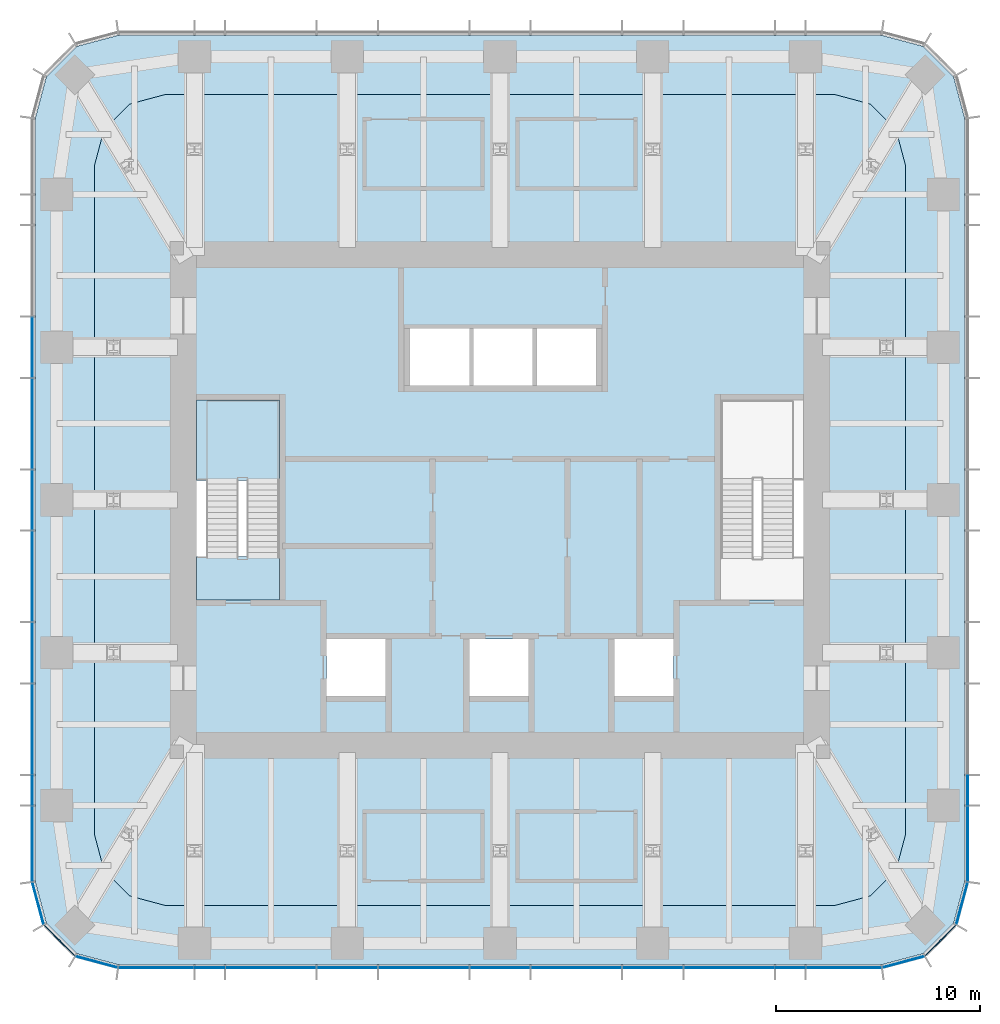
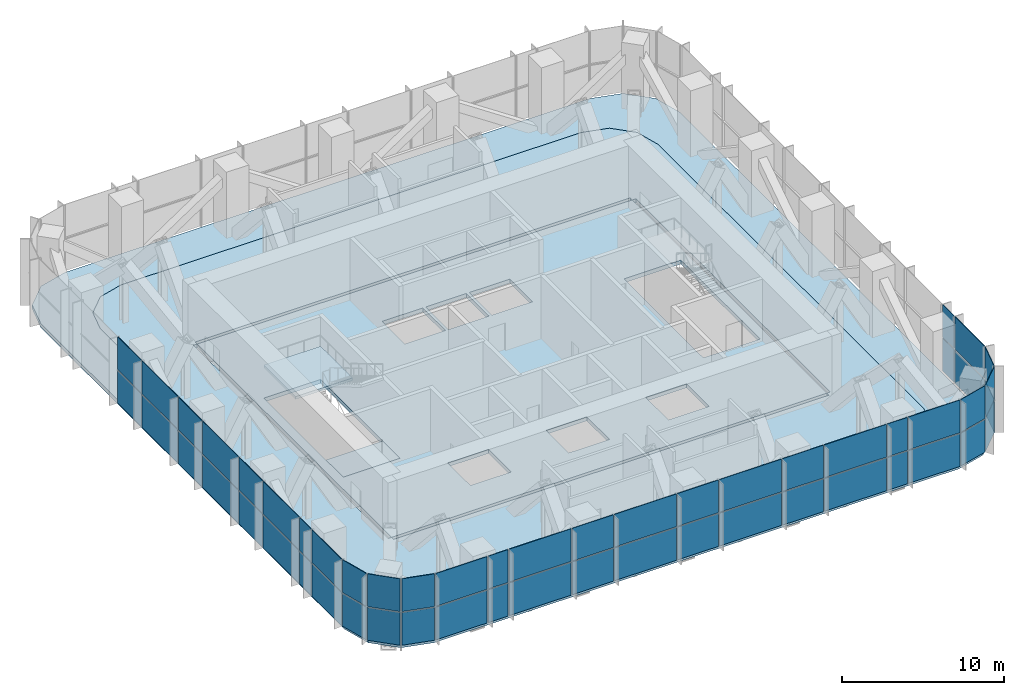
# One storey, part 5 of 9: 54 plates, 5 slabs, 6 elements without a shape of their own.
"""IFC4 building model written with IfcOpenShell, lengths in metres."""

from ifc_helpers import new_model, si_unit, direction, frame, origin, origin_2d, place, context, subcontext, project, spatial, polyline, rectangle, outline, extrude, material, layer, layer_set, type_object, element, aggregate, save


model = new_model("IFC4")

# Units and contexts
model_context = context("Model", 3, precision=1e-05, world=origin(), true_north=direction((0.0, 1.0)))
body_context = subcontext(model_context, "Body", "Model", "MODEL_VIEW")
ifc_project = project(units=[si_unit("LENGTHUNIT", "METRE"), si_unit("AREAUNIT", "SQUARE_METRE"), si_unit("VOLUMEUNIT", "CUBIC_METRE"), si_unit("PLANEANGLEUNIT", "RADIAN"), si_unit("MASSUNIT", "GRAM", prefix="KILO")], contexts=[model_context])

# Site, building, storey
site_placement = place(None, origin())
site = spatial("IfcSite", under=ifc_project, at=site_placement, CompositionType="ELEMENT")
building_placement = place(site_placement, origin())
building = spatial("IfcBuilding", under=site, at=building_placement, Name="Khuree Lantern Residences", CompositionType="ELEMENT")
storey_placement = place(building_placement, frame((0.0, 0.0, 353.25)))
storey = spatial("IfcBuildingStorey", under=building, at=storey_placement, Name="L89", CompositionType="ELEMENT", Elevation=353.25)

# Slabs
ifc_material_1 = material(Name="Concrete C35/45", Category="concrete")
ifc_layer_1 = layer(ifc_material_1, 0.300048828125)
ifc_layer_set_1 = layer_set([ifc_layer_1], Name="CFL300 CORE FLOOR SLAB 300")
slab_type_1 = type_object("IfcSlabType", Name="CFL300 CORE FLOOR SLAB 300", PredefinedType="FLOOR", material=ifc_layer_set_1)
slab_1_placement = place(storey_placement, frame((0.0, 0.0, -0.300048828125)))
element("IfcSlab", 1, at=slab_1_placement, inside=storey, type_object=slab_type_1, Name="Core floor L89", PredefinedType="FLOOR", context=body_context, shape_type="SweptSolid", body=[
    extrude(outline(polyline([(-15.5, -12.0), (-15.5, 12.0), (15.5, 12.0), (15.5, -12.0), (-15.5, -12.0)]), holes=[polyline([(10.800048828125, 4.89990234375), (10.800048828125, -4.89990234375), (14.85009765625, -4.89990234375), (14.85009765625, 4.89990234375), (10.800048828125, 4.89990234375)]), polyline([(5.60009765625, -6.800048828125), (5.60009765625, -9.60009765625), (8.5, -9.60009765625), (8.5, -6.800048828125), (5.60009765625, -6.800048828125)]), polyline([(1.800048828125, 8.39990234375), (1.800048828125, 5.60009765625), (4.699951171875, 5.60009765625), (4.699951171875, 8.39990234375), (1.800048828125, 8.39990234375)]), polyline([(-1.300048828125, 8.39990234375), (-1.300048828125, 5.60009765625), (1.60009765625, 5.60009765625), (1.60009765625, 8.39990234375), (-1.300048828125, 8.39990234375)]), polyline([(-1.5, -6.800048828125), (-1.5, -9.60009765625), (1.39990234375, -9.60009765625), (1.39990234375, -6.800048828125), (-1.5, -6.800048828125)]), polyline([(-4.39990234375, 8.39990234375), (-4.39990234375, 5.60009765625), (-1.5, 5.60009765625), (-1.5, 8.39990234375), (-4.39990234375, 8.39990234375)]), polyline([(-8.5, -6.800048828125), (-8.5, -9.60009765625), (-5.60009765625, -9.60009765625), (-5.60009765625, -6.800048828125), (-8.5, -6.800048828125)]), polyline([(-14.85009765625, 4.89990234375), (-14.85009765625, -4.89990234375), (-10.800048828125, -4.89990234375), (-10.800048828125, 4.89990234375), (-14.85009765625, 4.89990234375)])]), origin(), (0.0, 0.0, 1.0), 0.300048828125),
])
ifc_layer_2 = layer(ifc_material_1, 0.300048828125)
ifc_layer_set_2 = layer_set([ifc_layer_2], Name="FS300 FLOOR SLAB 300")
slab_type_2 = type_object("IfcSlabType", Name="FS300 FLOOR SLAB 300", PredefinedType="FLOOR", material=ifc_layer_set_2)
slab_2_placement = place(storey_placement, frame((0.0, 0.0, -0.300048828125)))
element("IfcSlab", 2, at=slab_2_placement, inside=storey, type_object=slab_type_2, Name="Floor slab L89", PredefinedType="FLOOR", context=body_context, shape_type="SweptSolid", body=[
    extrude(outline(polyline([(-18.125, -19.3876953125), (-19.3876953125, -18.125), (-19.85009765625, -16.39990234375), (-19.85009765625, 16.39990234375), (-19.3876953125, 18.125), (-18.125, 19.3876953125), (-16.39990234375, 19.85009765625), (16.39990234375, 19.85009765625), (18.125, 19.3876953125), (19.3876953125, 18.125), (19.85009765625, 16.39990234375), (19.85009765625, -16.39990234375), (19.3876953125, -18.125), (18.125, -19.3876953125), (16.39990234375, -19.85009765625), (-16.39990234375, -19.85009765625), (-18.125, -19.3876953125)]), holes=[polyline([(15.75, 12.0), (15.5, 12.0), (15.5, 12.25), (-15.5, 12.25), (-15.5, 12.0), (-15.75, 12.0), (-15.75, -12.0), (-15.5, -12.0), (-15.5, -12.25), (15.5, -12.25), (15.5, -12.0), (15.75, -12.0), (15.75, 12.0)])]), origin(), (0.0, 0.0, 1.0), 0.300048828125),
])
ifc_layer_3 = layer(ifc_material_1, 0.300048828125)
ifc_layer_set_3 = layer_set([ifc_layer_3], Name="GS300 LANTERN GALLERY SLAB 300")
slab_type_3 = type_object("IfcSlabType", Name="GS300 LANTERN GALLERY SLAB 300", PredefinedType="FLOOR", material=ifc_layer_set_3)
slab_3_placement = place(storey_placement, frame((0.0, 0.0, -0.300048828125)))
element("IfcSlab", 3, at=slab_3_placement, inside=storey, type_object=slab_type_3, Name="Lantern gallery", PredefinedType="FLOOR", context=body_context, shape_type="SweptSolid", body=[
    extrude(outline(polyline([(-20.72509765625, -22.20751953125), (-22.20751953125, -20.72509765625), (-22.75, -18.699951171875), (-22.75, 18.699951171875), (-22.20751953125, 20.72509765625), (-20.72509765625, 22.20751953125), (-18.699951171875, 22.75), (18.699951171875, 22.75), (20.72509765625, 22.20751953125), (22.20751953125, 20.72509765625), (22.75, 18.699951171875), (22.75, -18.699951171875), (22.20751953125, -20.72509765625), (20.72509765625, -22.20751953125), (18.699951171875, -22.75), (-18.699951171875, -22.75), (-20.72509765625, -22.20751953125)]), holes=[polyline([(19.3876953125, -18.125), (19.85009765625, -16.39990234375), (19.85009765625, 16.39990234375), (19.3876953125, 18.125), (18.125, 19.3876953125), (16.39990234375, 19.85009765625), (-16.39990234375, 19.85009765625), (-18.125, 19.3876953125), (-19.3876953125, 18.125), (-19.85009765625, 16.39990234375), (-19.85009765625, -16.39990234375), (-19.3876953125, -18.125), (-18.125, -19.3876953125), (-16.39990234375, -19.85009765625), (16.39990234375, -19.85009765625), (18.125, -19.3876953125), (19.3876953125, -18.125)])]), origin(), (0.0, 0.0, 1.0), 0.300048828125),
])

# Curtain wall, plates
ifc_material_2 = material(Name="Bronze anodised aluminium", Category="aluminium")
curtain_wall_type = type_object("IfcCurtainWallType", Name="CW-L LANTERN CROWN CURTAIN WALL", PredefinedType="USERDEFINED", material=ifc_material_2)
curtain_wall_1_placement = place(storey_placement, origin())
curtain_wall_1 = element("IfcCurtainWall", 4, at=curtain_wall_1_placement, inside=storey, type_object=curtain_wall_type, Name="L89 SOUTH-EAST CORNER CURTAIN WALL", ObjectType="Lantern curtain wall", PredefinedType="USERDEFINED")
ifc_material_3 = material(Name="Bronze fritted laminated glass over an insulated spandrel back pan", Category="glass")
ifc_layer_4 = layer(ifc_material_3, 0.0400390625)
ifc_layer_set_4 = layer_set([ifc_layer_4], Name="LANTERN SHADOW BOX PANEL P8")
plate_type = type_object("IfcPlateType", Name="LANTERN SHADOW BOX PANEL P8", PredefinedType="CURTAIN_PANEL", material=ifc_layer_set_4)
plate_1_placement = place(storey_placement, frame((19.748291015625, -22.619140625, 0.0), z_axis=(0.0, 0.0, 1.0), x_axis=(0.965925861257, 0.2588189146, 0.0)))
plate_1 = element("IfcPlate", 5, at=plate_1_placement, type_object=plate_type, Name="L89 SOUTH-EAST CORNER PANEL 1.1", PredefinedType="CURTAIN_PANEL", context=body_context, shape_type="SweptSolid", body=[
    extrude(rectangle(XDim=2.08935546875, YDim=0.0400390625, at=origin_2d()), origin(), (0.0, 0.0, 1.0), 2.46240234375),
])
plate_2_placement = place(storey_placement, frame((19.748291015625, -22.619140625, 2.53759765625), z_axis=(0.0, 0.0, 1.0), x_axis=(0.965925861257, 0.2588189146, 0.0)))
plate_2 = element("IfcPlate", 6, at=plate_2_placement, type_object=plate_type, Name="L89 SOUTH-EAST CORNER PANEL 1.2", PredefinedType="CURTAIN_PANEL", context=body_context, shape_type="SweptSolid", body=[
    extrude(rectangle(XDim=2.08935546875, YDim=0.0400390625, at=origin_2d()), origin(), (0.0, 0.0, 1.0), 2.46240234375),
])
plate_3_placement = place(storey_placement, frame((21.568603515625, -21.568603515625, 0.0), z_axis=(0.0, 0.0, 1.0), x_axis=(0.707106781187, 0.707106781187, 0.0)))
plate_3 = element("IfcPlate", 7, at=plate_3_placement, type_object=plate_type, Name="L89 SOUTH-EAST CORNER PANEL 2.1", PredefinedType="CURTAIN_PANEL", context=body_context, shape_type="SweptSolid", body=[
    extrude(rectangle(XDim=2.085693359375, YDim=0.0400390625, at=origin_2d()), origin(), (0.0, 0.0, 1.0), 2.46240234375),
])
plate_4_placement = place(storey_placement, frame((21.568603515625, -21.568603515625, 2.53759765625), z_axis=(0.0, 0.0, 1.0), x_axis=(0.707106781187, 0.707106781187, 0.0)))
plate_4 = element("IfcPlate", 8, at=plate_4_placement, type_object=plate_type, Name="L89 SOUTH-EAST CORNER PANEL 2.2", PredefinedType="CURTAIN_PANEL", context=body_context, shape_type="SweptSolid", body=[
    extrude(rectangle(XDim=2.085693359375, YDim=0.0400390625, at=origin_2d()), origin(), (0.0, 0.0, 1.0), 2.46240234375),
])
plate_5_placement = place(storey_placement, frame((22.619140625, -19.748291015625, 0.0), z_axis=(0.0, 0.0, 1.0), x_axis=(0.2588189146, 0.965925861257, 0.0)))
plate_5 = element("IfcPlate", 9, at=plate_5_placement, type_object=plate_type, Name="L89 SOUTH-EAST CORNER PANEL 3.1", PredefinedType="CURTAIN_PANEL", context=body_context, shape_type="SweptSolid", body=[
    extrude(rectangle(XDim=2.08935546875, YDim=0.0400390625, at=origin_2d()), origin(), (0.0, 0.0, 1.0), 2.46240234375),
])
plate_6_placement = place(storey_placement, frame((22.619140625, -19.748291015625, 2.53759765625), z_axis=(0.0, 0.0, 1.0), x_axis=(0.2588189146, 0.965925861257, 0.0)))
plate_6 = element("IfcPlate", 10, at=plate_6_placement, type_object=plate_type, Name="L89 SOUTH-EAST CORNER PANEL 3.2", PredefinedType="CURTAIN_PANEL", context=body_context, shape_type="SweptSolid", body=[
    extrude(rectangle(XDim=2.08935546875, YDim=0.0400390625, at=origin_2d()), origin(), (0.0, 0.0, 1.0), 2.46240234375),
])
aggregate(curtain_wall_1, [plate_1, plate_2, plate_3, plate_4, plate_5, plate_6])

curtain_wall_2_placement = place(storey_placement, origin())
curtain_wall_2 = element("IfcCurtainWall", 11, at=curtain_wall_2_placement, inside=storey, type_object=curtain_wall_type, Name="L89 EAST FACE CURTAIN WALL", ObjectType="Lantern curtain wall", PredefinedType="USERDEFINED")
plate_7_placement = place(storey_placement, frame((22.89990234375, -16.82861328125, 0.0), z_axis=(0.0, 0.0, 1.0), x_axis=(0.0, 1.0, 0.0)))
plate_7 = element("IfcPlate", 12, at=plate_7_placement, type_object=plate_type, Name="L89 EAST FACE PANEL 4.1", PredefinedType="CURTAIN_PANEL", context=body_context, shape_type="SweptSolid", body=[
    extrude(rectangle(XDim=3.662109375, YDim=0.0400390625, at=origin_2d()), origin(), (0.0, 0.0, 1.0), 2.46240234375),
])
plate_8_placement = place(storey_placement, frame((22.89990234375, -16.82861328125, 2.53759765625), z_axis=(0.0, 0.0, 1.0), x_axis=(0.0, 1.0, 0.0)))
plate_8 = element("IfcPlate", 13, at=plate_8_placement, type_object=plate_type, Name="L89 EAST FACE PANEL 4.2", PredefinedType="CURTAIN_PANEL", context=body_context, shape_type="SweptSolid", body=[
    extrude(rectangle(XDim=3.662109375, YDim=0.0400390625, at=origin_2d()), origin(), (0.0, 0.0, 1.0), 2.46240234375),
])
plate_9_placement = place(storey_placement, frame((22.89990234375, -14.2119140625, 0.0), z_axis=(0.0, 0.0, 1.0), x_axis=(0.0, 1.0, 0.0)))
plate_9 = element("IfcPlate", 14, at=plate_9_placement, type_object=plate_type, Name="L89 EAST FACE PANEL 5.1", PredefinedType="CURTAIN_PANEL", context=body_context, shape_type="SweptSolid", body=[
    extrude(rectangle(XDim=1.4208984375, YDim=0.0400390625, at=origin_2d()), origin(), (0.0, 0.0, 1.0), 2.46240234375),
])
plate_10_placement = place(storey_placement, frame((22.89990234375, -14.2119140625, 2.53759765625), z_axis=(0.0, 0.0, 1.0), x_axis=(0.0, 1.0, 0.0)))
plate_10 = element("IfcPlate", 15, at=plate_10_placement, type_object=plate_type, Name="L89 EAST FACE PANEL 5.2", PredefinedType="CURTAIN_PANEL", context=body_context, shape_type="SweptSolid", body=[
    extrude(rectangle(XDim=1.4208984375, YDim=0.0400390625, at=origin_2d()), origin(), (0.0, 0.0, 1.0), 2.46240234375),
])
aggregate(curtain_wall_2, [plate_7, plate_8, plate_9, plate_10])

curtain_wall_3_placement = place(storey_placement, origin())
curtain_wall_3 = element("IfcCurtainWall", 16, at=curtain_wall_3_placement, inside=storey, type_object=curtain_wall_type, Name="L89 WEST FACE CURTAIN WALL", ObjectType="Lantern curtain wall", PredefinedType="USERDEFINED")
plate_11_placement = place(storey_placement, frame((-22.89990234375, 7.47998046875, 0.0), z_axis=(0.0, 0.0, 1.0), x_axis=(0.0, -1.0, 0.0)))
plate_11 = element("IfcPlate", 17, at=plate_11_placement, type_object=plate_type, Name="L89 WEST FACE PANEL 35.1", PredefinedType="CURTAIN_PANEL", context=body_context, shape_type="SweptSolid", body=[
    extrude(rectangle(XDim=2.9169921875, YDim=0.0400390625, at=origin_2d()), origin(), (0.0, 0.0, 1.0), 2.46240234375),
])
plate_12_placement = place(storey_placement, frame((-22.89990234375, 7.47998046875, 2.53759765625), z_axis=(0.0, 0.0, 1.0), x_axis=(0.0, -1.0, 0.0)))
plate_12 = element("IfcPlate", 18, at=plate_12_placement, type_object=plate_type, Name="L89 WEST FACE PANEL 35.2", PredefinedType="CURTAIN_PANEL", context=body_context, shape_type="SweptSolid", body=[
    extrude(rectangle(XDim=2.9169921875, YDim=0.0400390625, at=origin_2d()), origin(), (0.0, 0.0, 1.0), 2.46240234375),
])
plate_13_placement = place(storey_placement, frame((-22.89990234375, 3.739990234375, 0.0), z_axis=(0.0, 0.0, 1.0), x_axis=(0.0, -1.0, 0.0)))
plate_13 = element("IfcPlate", 19, at=plate_13_placement, type_object=plate_type, Name="L89 WEST FACE PANEL 36.1", PredefinedType="CURTAIN_PANEL", context=body_context, shape_type="SweptSolid", body=[
    extrude(rectangle(XDim=4.4130859375, YDim=0.0400390625, at=origin_2d()), origin(), (0.0, 0.0, 1.0), 2.46240234375),
])
plate_14_placement = place(storey_placement, frame((-22.89990234375, 3.739990234375, 2.53759765625), z_axis=(0.0, 0.0, 1.0), x_axis=(0.0, -1.0, 0.0)))
plate_14 = element("IfcPlate", 20, at=plate_14_placement, type_object=plate_type, Name="L89 WEST FACE PANEL 36.2", PredefinedType="CURTAIN_PANEL", context=body_context, shape_type="SweptSolid", body=[
    extrude(rectangle(XDim=4.4130859375, YDim=0.0400390625, at=origin_2d()), origin(), (0.0, 0.0, 1.0), 2.46240234375),
])
plate_15_placement = place(storey_placement, frame((-22.89990234375, 0.0, 0.0), z_axis=(0.0, 0.0, 1.0), x_axis=(0.0, -1.0, 0.0)))
plate_15 = element("IfcPlate", 21, at=plate_15_placement, type_object=plate_type, Name="L89 WEST FACE PANEL 37.1", PredefinedType="CURTAIN_PANEL", context=body_context, shape_type="SweptSolid", body=[
    extrude(rectangle(XDim=2.9169921875, YDim=0.0400390625, at=origin_2d()), origin(), (0.0, 0.0, 1.0), 2.46240234375),
])
plate_16_placement = place(storey_placement, frame((-22.89990234375, 0.0, 2.53759765625), z_axis=(0.0, 0.0, 1.0), x_axis=(0.0, -1.0, 0.0)))
plate_16 = element("IfcPlate", 22, at=plate_16_placement, type_object=plate_type, Name="L89 WEST FACE PANEL 37.2", PredefinedType="CURTAIN_PANEL", context=body_context, shape_type="SweptSolid", body=[
    extrude(rectangle(XDim=2.9169921875, YDim=0.0400390625, at=origin_2d()), origin(), (0.0, 0.0, 1.0), 2.46240234375),
])
plate_17_placement = place(storey_placement, frame((-22.89990234375, -3.739990234375, 0.0), z_axis=(0.0, 0.0, 1.0), x_axis=(0.0, -1.0, 0.0)))
plate_17 = element("IfcPlate", 23, at=plate_17_placement, type_object=plate_type, Name="L89 WEST FACE PANEL 38.1", PredefinedType="CURTAIN_PANEL", context=body_context, shape_type="SweptSolid", body=[
    extrude(rectangle(XDim=4.4130859375, YDim=0.0400390625, at=origin_2d()), origin(), (0.0, 0.0, 1.0), 2.46240234375),
])
plate_18_placement = place(storey_placement, frame((-22.89990234375, -3.739990234375, 2.53759765625), z_axis=(0.0, 0.0, 1.0), x_axis=(0.0, -1.0, 0.0)))
plate_18 = element("IfcPlate", 24, at=plate_18_placement, type_object=plate_type, Name="L89 WEST FACE PANEL 38.2", PredefinedType="CURTAIN_PANEL", context=body_context, shape_type="SweptSolid", body=[
    extrude(rectangle(XDim=4.4130859375, YDim=0.0400390625, at=origin_2d()), origin(), (0.0, 0.0, 1.0), 2.46240234375),
])
plate_19_placement = place(storey_placement, frame((-22.89990234375, -7.47998046875, 0.0), z_axis=(0.0, 0.0, 1.0), x_axis=(0.0, -1.0, 0.0)))
plate_19 = element("IfcPlate", 25, at=plate_19_placement, type_object=plate_type, Name="L89 WEST FACE PANEL 39.1", PredefinedType="CURTAIN_PANEL", context=body_context, shape_type="SweptSolid", body=[
    extrude(rectangle(XDim=2.9169921875, YDim=0.0400390625, at=origin_2d()), origin(), (0.0, 0.0, 1.0), 2.46240234375),
])
plate_20_placement = place(storey_placement, frame((-22.89990234375, -7.47998046875, 2.53759765625), z_axis=(0.0, 0.0, 1.0), x_axis=(0.0, -1.0, 0.0)))
plate_20 = element("IfcPlate", 26, at=plate_20_placement, type_object=plate_type, Name="L89 WEST FACE PANEL 39.2", PredefinedType="CURTAIN_PANEL", context=body_context, shape_type="SweptSolid", body=[
    extrude(rectangle(XDim=2.9169921875, YDim=0.0400390625, at=origin_2d()), origin(), (0.0, 0.0, 1.0), 2.46240234375),
])
plate_21_placement = place(storey_placement, frame((-22.89990234375, -11.219970703125, 0.0), z_axis=(0.0, 0.0, 1.0), x_axis=(0.0, -1.0, 0.0)))
plate_21 = element("IfcPlate", 27, at=plate_21_placement, type_object=plate_type, Name="L89 WEST FACE PANEL 40.1", PredefinedType="CURTAIN_PANEL", context=body_context, shape_type="SweptSolid", body=[
    extrude(rectangle(XDim=4.4130859375, YDim=0.0400390625, at=origin_2d()), origin(), (0.0, 0.0, 1.0), 2.46240234375),
])
plate_22_placement = place(storey_placement, frame((-22.89990234375, -11.219970703125, 2.53759765625), z_axis=(0.0, 0.0, 1.0), x_axis=(0.0, -1.0, 0.0)))
plate_22 = element("IfcPlate", 28, at=plate_22_placement, type_object=plate_type, Name="L89 WEST FACE PANEL 40.2", PredefinedType="CURTAIN_PANEL", context=body_context, shape_type="SweptSolid", body=[
    extrude(rectangle(XDim=4.4130859375, YDim=0.0400390625, at=origin_2d()), origin(), (0.0, 0.0, 1.0), 2.46240234375),
])
plate_23_placement = place(storey_placement, frame((-22.89990234375, -14.2119140625, 0.0), z_axis=(0.0, 0.0, 1.0), x_axis=(0.0, -1.0, 0.0)))
plate_23 = element("IfcPlate", 29, at=plate_23_placement, type_object=plate_type, Name="L89 WEST FACE PANEL 41.1", PredefinedType="CURTAIN_PANEL", context=body_context, shape_type="SweptSolid", body=[
    extrude(rectangle(XDim=1.4208984375, YDim=0.0400390625, at=origin_2d()), origin(), (0.0, 0.0, 1.0), 2.46240234375),
])
plate_24_placement = place(storey_placement, frame((-22.89990234375, -14.2119140625, 2.53759765625), z_axis=(0.0, 0.0, 1.0), x_axis=(0.0, -1.0, 0.0)))
plate_24 = element("IfcPlate", 30, at=plate_24_placement, type_object=plate_type, Name="L89 WEST FACE PANEL 41.2", PredefinedType="CURTAIN_PANEL", context=body_context, shape_type="SweptSolid", body=[
    extrude(rectangle(XDim=1.4208984375, YDim=0.0400390625, at=origin_2d()), origin(), (0.0, 0.0, 1.0), 2.46240234375),
])
plate_25_placement = place(storey_placement, frame((-22.89990234375, -16.82861328125, 0.0), z_axis=(0.0, 0.0, 1.0), x_axis=(0.0, -1.0, 0.0)))
plate_25 = element("IfcPlate", 31, at=plate_25_placement, type_object=plate_type, Name="L89 WEST FACE PANEL 42.1", PredefinedType="CURTAIN_PANEL", context=body_context, shape_type="SweptSolid", body=[
    extrude(rectangle(XDim=3.662109375, YDim=0.0400390625, at=origin_2d()), origin(), (0.0, 0.0, 1.0), 2.46240234375),
])
plate_26_placement = place(storey_placement, frame((-22.89990234375, -16.82861328125, 2.53759765625), z_axis=(0.0, 0.0, 1.0), x_axis=(0.0, -1.0, 0.0)))
plate_26 = element("IfcPlate", 32, at=plate_26_placement, type_object=plate_type, Name="L89 WEST FACE PANEL 42.2", PredefinedType="CURTAIN_PANEL", context=body_context, shape_type="SweptSolid", body=[
    extrude(rectangle(XDim=3.662109375, YDim=0.0400390625, at=origin_2d()), origin(), (0.0, 0.0, 1.0), 2.46240234375),
])
aggregate(curtain_wall_3, [plate_11, plate_12, plate_13, plate_14, plate_15, plate_16, plate_17, plate_18, plate_19, plate_20, plate_21, plate_22, plate_23, plate_24, plate_25, plate_26])

curtain_wall_4_placement = place(storey_placement, origin())
curtain_wall_4 = element("IfcCurtainWall", 33, at=curtain_wall_4_placement, inside=storey, type_object=curtain_wall_type, Name="L89 SOUTH-WEST CORNER CURTAIN WALL", ObjectType="Lantern curtain wall", PredefinedType="USERDEFINED")
plate_27_placement = place(storey_placement, frame((-22.619140625, -19.748291015625, 0.0), z_axis=(0.0, 0.0, 1.0), x_axis=(0.2588189146, -0.965925861257, 0.0)))
plate_27 = element("IfcPlate", 34, at=plate_27_placement, type_object=plate_type, Name="L89 SOUTH-WEST CORNER PANEL 43.1", PredefinedType="CURTAIN_PANEL", context=body_context, shape_type="SweptSolid", body=[
    extrude(rectangle(XDim=2.08935546875, YDim=0.0400390625, at=origin_2d()), origin(), (0.0, 0.0, 1.0), 2.46240234375),
])
plate_28_placement = place(storey_placement, frame((-22.619140625, -19.748291015625, 2.53759765625), z_axis=(0.0, 0.0, 1.0), x_axis=(0.2588189146, -0.965925861257, 0.0)))
plate_28 = element("IfcPlate", 35, at=plate_28_placement, type_object=plate_type, Name="L89 SOUTH-WEST CORNER PANEL 43.2", PredefinedType="CURTAIN_PANEL", context=body_context, shape_type="SweptSolid", body=[
    extrude(rectangle(XDim=2.08935546875, YDim=0.0400390625, at=origin_2d()), origin(), (0.0, 0.0, 1.0), 2.46240234375),
])
plate_29_placement = place(storey_placement, frame((-21.568603515625, -21.568603515625, 0.0), z_axis=(0.0, 0.0, 1.0), x_axis=(0.707106781187, -0.707106781187, 0.0)))
plate_29 = element("IfcPlate", 36, at=plate_29_placement, type_object=plate_type, Name="L89 SOUTH-WEST CORNER PANEL 44.1", PredefinedType="CURTAIN_PANEL", context=body_context, shape_type="SweptSolid", body=[
    extrude(rectangle(XDim=2.085693359375, YDim=0.0400390625, at=origin_2d()), origin(), (0.0, 0.0, 1.0), 2.46240234375),
])
plate_30_placement = place(storey_placement, frame((-21.568603515625, -21.568603515625, 2.53759765625), z_axis=(0.0, 0.0, 1.0), x_axis=(0.707106781187, -0.707106781187, 0.0)))
plate_30 = element("IfcPlate", 37, at=plate_30_placement, type_object=plate_type, Name="L89 SOUTH-WEST CORNER PANEL 44.2", PredefinedType="CURTAIN_PANEL", context=body_context, shape_type="SweptSolid", body=[
    extrude(rectangle(XDim=2.085693359375, YDim=0.0400390625, at=origin_2d()), origin(), (0.0, 0.0, 1.0), 2.46240234375),
])
plate_31_placement = place(storey_placement, frame((-19.748291015625, -22.619140625, 0.0), z_axis=(0.0, 0.0, 1.0), x_axis=(0.965925861257, -0.2588189146, 0.0)))
plate_31 = element("IfcPlate", 38, at=plate_31_placement, type_object=plate_type, Name="L89 SOUTH-WEST CORNER PANEL 45.1", PredefinedType="CURTAIN_PANEL", context=body_context, shape_type="SweptSolid", body=[
    extrude(rectangle(XDim=2.08935546875, YDim=0.0400390625, at=origin_2d()), origin(), (0.0, 0.0, 1.0), 2.46240234375),
])
plate_32_placement = place(storey_placement, frame((-19.748291015625, -22.619140625, 2.53759765625), z_axis=(0.0, 0.0, 1.0), x_axis=(0.965925861257, -0.2588189146, 0.0)))
plate_32 = element("IfcPlate", 39, at=plate_32_placement, type_object=plate_type, Name="L89 SOUTH-WEST CORNER PANEL 45.2", PredefinedType="CURTAIN_PANEL", context=body_context, shape_type="SweptSolid", body=[
    extrude(rectangle(XDim=2.08935546875, YDim=0.0400390625, at=origin_2d()), origin(), (0.0, 0.0, 1.0), 2.46240234375),
])
aggregate(curtain_wall_4, [plate_27, plate_28, plate_29, plate_30, plate_31, plate_32])

curtain_wall_5_placement = place(storey_placement, origin())
curtain_wall_5 = element("IfcCurtainWall", 40, at=curtain_wall_5_placement, inside=storey, type_object=curtain_wall_type, Name="L89 SOUTH FACE CURTAIN WALL", ObjectType="Lantern curtain wall", PredefinedType="USERDEFINED")
plate_33_placement = place(storey_placement, frame((-16.82861328125, -22.89990234375, 0.0), z_axis=(0.0, 0.0, 1.0), x_axis=(1.0, 0.0, 0.0)))
plate_33 = element("IfcPlate", 41, at=plate_33_placement, type_object=plate_type, Name="L89 SOUTH FACE PANEL 46.1", PredefinedType="CURTAIN_PANEL", context=body_context, shape_type="SweptSolid", body=[
    extrude(rectangle(XDim=3.662109375, YDim=0.0400390625, at=origin_2d()), origin(), (0.0, 0.0, 1.0), 2.46240234375),
])
plate_34_placement = place(storey_placement, frame((-16.82861328125, -22.89990234375, 2.53759765625), z_axis=(0.0, 0.0, 1.0), x_axis=(1.0, 0.0, 0.0)))
plate_34 = element("IfcPlate", 42, at=plate_34_placement, type_object=plate_type, Name="L89 SOUTH FACE PANEL 46.2", PredefinedType="CURTAIN_PANEL", context=body_context, shape_type="SweptSolid", body=[
    extrude(rectangle(XDim=3.662109375, YDim=0.0400390625, at=origin_2d()), origin(), (0.0, 0.0, 1.0), 2.46240234375),
])
plate_35_placement = place(storey_placement, frame((-14.2119140625, -22.89990234375, 0.0), z_axis=(0.0, 0.0, 1.0), x_axis=(1.0, 0.0, 0.0)))
plate_35 = element("IfcPlate", 43, at=plate_35_placement, type_object=plate_type, Name="L89 SOUTH FACE PANEL 47.1", PredefinedType="CURTAIN_PANEL", context=body_context, shape_type="SweptSolid", body=[
    extrude(rectangle(XDim=1.4208984375, YDim=0.0400390625, at=origin_2d()), origin(), (0.0, 0.0, 1.0), 2.46240234375),
])
plate_36_placement = place(storey_placement, frame((-14.2119140625, -22.89990234375, 2.53759765625), z_axis=(0.0, 0.0, 1.0), x_axis=(1.0, 0.0, 0.0)))
plate_36 = element("IfcPlate", 44, at=plate_36_placement, type_object=plate_type, Name="L89 SOUTH FACE PANEL 47.2", PredefinedType="CURTAIN_PANEL", context=body_context, shape_type="SweptSolid", body=[
    extrude(rectangle(XDim=1.4208984375, YDim=0.0400390625, at=origin_2d()), origin(), (0.0, 0.0, 1.0), 2.46240234375),
])
plate_37_placement = place(storey_placement, frame((-11.219970703125, -22.89990234375, 0.0), z_axis=(0.0, 0.0, 1.0), x_axis=(1.0, 0.0, 0.0)))
plate_37 = element("IfcPlate", 45, at=plate_37_placement, type_object=plate_type, Name="L89 SOUTH FACE PANEL 48.1", PredefinedType="CURTAIN_PANEL", context=body_context, shape_type="SweptSolid", body=[
    extrude(rectangle(XDim=4.4130859375, YDim=0.0400390625, at=origin_2d()), origin(), (0.0, 0.0, 1.0), 2.46240234375),
])
plate_38_placement = place(storey_placement, frame((-11.219970703125, -22.89990234375, 2.53759765625), z_axis=(0.0, 0.0, 1.0), x_axis=(1.0, 0.0, 0.0)))
plate_38 = element("IfcPlate", 46, at=plate_38_placement, type_object=plate_type, Name="L89 SOUTH FACE PANEL 48.2", PredefinedType="CURTAIN_PANEL", context=body_context, shape_type="SweptSolid", body=[
    extrude(rectangle(XDim=4.4130859375, YDim=0.0400390625, at=origin_2d()), origin(), (0.0, 0.0, 1.0), 2.46240234375),
])
plate_39_placement = place(storey_placement, frame((-7.47998046875, -22.89990234375, 0.0), z_axis=(0.0, 0.0, 1.0), x_axis=(1.0, 0.0, 0.0)))
plate_39 = element("IfcPlate", 47, at=plate_39_placement, type_object=plate_type, Name="L89 SOUTH FACE PANEL 49.1", PredefinedType="CURTAIN_PANEL", context=body_context, shape_type="SweptSolid", body=[
    extrude(rectangle(XDim=2.9169921875, YDim=0.0400390625, at=origin_2d()), origin(), (0.0, 0.0, 1.0), 2.46240234375),
])
plate_40_placement = place(storey_placement, frame((-7.47998046875, -22.89990234375, 2.53759765625), z_axis=(0.0, 0.0, 1.0), x_axis=(1.0, 0.0, 0.0)))
plate_40 = element("IfcPlate", 48, at=plate_40_placement, type_object=plate_type, Name="L89 SOUTH FACE PANEL 49.2", PredefinedType="CURTAIN_PANEL", context=body_context, shape_type="SweptSolid", body=[
    extrude(rectangle(XDim=2.9169921875, YDim=0.0400390625, at=origin_2d()), origin(), (0.0, 0.0, 1.0), 2.46240234375),
])
plate_41_placement = place(storey_placement, frame((-3.739990234375, -22.89990234375, 0.0), z_axis=(0.0, 0.0, 1.0), x_axis=(1.0, 0.0, 0.0)))
plate_41 = element("IfcPlate", 49, at=plate_41_placement, type_object=plate_type, Name="L89 SOUTH FACE PANEL 50.1", PredefinedType="CURTAIN_PANEL", context=body_context, shape_type="SweptSolid", body=[
    extrude(rectangle(XDim=4.4130859375, YDim=0.0400390625, at=origin_2d()), origin(), (0.0, 0.0, 1.0), 2.46240234375),
])
plate_42_placement = place(storey_placement, frame((-3.739990234375, -22.89990234375, 2.53759765625), z_axis=(0.0, 0.0, 1.0), x_axis=(1.0, 0.0, 0.0)))
plate_42 = element("IfcPlate", 50, at=plate_42_placement, type_object=plate_type, Name="L89 SOUTH FACE PANEL 50.2", PredefinedType="CURTAIN_PANEL", context=body_context, shape_type="SweptSolid", body=[
    extrude(rectangle(XDim=4.4130859375, YDim=0.0400390625, at=origin_2d()), origin(), (0.0, 0.0, 1.0), 2.46240234375),
])
plate_43_placement = place(storey_placement, frame((0.0, -22.89990234375, 0.0), z_axis=(0.0, 0.0, 1.0), x_axis=(1.0, 0.0, 0.0)))
plate_43 = element("IfcPlate", 51, at=plate_43_placement, type_object=plate_type, Name="L89 SOUTH FACE PANEL 51.1", PredefinedType="CURTAIN_PANEL", context=body_context, shape_type="SweptSolid", body=[
    extrude(rectangle(XDim=2.9169921875, YDim=0.0400390625, at=origin_2d()), origin(), (0.0, 0.0, 1.0), 2.46240234375),
])
plate_44_placement = place(storey_placement, frame((0.0, -22.89990234375, 2.53759765625), z_axis=(0.0, 0.0, 1.0), x_axis=(1.0, 0.0, 0.0)))
plate_44 = element("IfcPlate", 52, at=plate_44_placement, type_object=plate_type, Name="L89 SOUTH FACE PANEL 51.2", PredefinedType="CURTAIN_PANEL", context=body_context, shape_type="SweptSolid", body=[
    extrude(rectangle(XDim=2.9169921875, YDim=0.0400390625, at=origin_2d()), origin(), (0.0, 0.0, 1.0), 2.46240234375),
])
plate_45_placement = place(storey_placement, frame((3.739990234375, -22.89990234375, 0.0), z_axis=(0.0, 0.0, 1.0), x_axis=(1.0, 0.0, 0.0)))
plate_45 = element("IfcPlate", 53, at=plate_45_placement, type_object=plate_type, Name="L89 SOUTH FACE PANEL 52.1", PredefinedType="CURTAIN_PANEL", context=body_context, shape_type="SweptSolid", body=[
    extrude(rectangle(XDim=4.4130859375, YDim=0.0400390625, at=origin_2d()), origin(), (0.0, 0.0, 1.0), 2.46240234375),
])
plate_46_placement = place(storey_placement, frame((3.739990234375, -22.89990234375, 2.53759765625), z_axis=(0.0, 0.0, 1.0), x_axis=(1.0, 0.0, 0.0)))
plate_46 = element("IfcPlate", 54, at=plate_46_placement, type_object=plate_type, Name="L89 SOUTH FACE PANEL 52.2", PredefinedType="CURTAIN_PANEL", context=body_context, shape_type="SweptSolid", body=[
    extrude(rectangle(XDim=4.4130859375, YDim=0.0400390625, at=origin_2d()), origin(), (0.0, 0.0, 1.0), 2.46240234375),
])
plate_47_placement = place(storey_placement, frame((7.47998046875, -22.89990234375, 0.0), z_axis=(0.0, 0.0, 1.0), x_axis=(1.0, 0.0, 0.0)))
plate_47 = element("IfcPlate", 55, at=plate_47_placement, type_object=plate_type, Name="L89 SOUTH FACE PANEL 53.1", PredefinedType="CURTAIN_PANEL", context=body_context, shape_type="SweptSolid", body=[
    extrude(rectangle(XDim=2.9169921875, YDim=0.0400390625, at=origin_2d()), origin(), (0.0, 0.0, 1.0), 2.46240234375),
])
plate_48_placement = place(storey_placement, frame((7.47998046875, -22.89990234375, 2.53759765625), z_axis=(0.0, 0.0, 1.0), x_axis=(1.0, 0.0, 0.0)))
plate_48 = element("IfcPlate", 56, at=plate_48_placement, type_object=plate_type, Name="L89 SOUTH FACE PANEL 53.2", PredefinedType="CURTAIN_PANEL", context=body_context, shape_type="SweptSolid", body=[
    extrude(rectangle(XDim=2.9169921875, YDim=0.0400390625, at=origin_2d()), origin(), (0.0, 0.0, 1.0), 2.46240234375),
])
plate_49_placement = place(storey_placement, frame((11.219970703125, -22.89990234375, 0.0), z_axis=(0.0, 0.0, 1.0), x_axis=(1.0, 0.0, 0.0)))
plate_49 = element("IfcPlate", 57, at=plate_49_placement, type_object=plate_type, Name="L89 SOUTH FACE PANEL 54.1", PredefinedType="CURTAIN_PANEL", context=body_context, shape_type="SweptSolid", body=[
    extrude(rectangle(XDim=4.4130859375, YDim=0.0400390625, at=origin_2d()), origin(), (0.0, 0.0, 1.0), 2.46240234375),
])
plate_50_placement = place(storey_placement, frame((11.219970703125, -22.89990234375, 2.53759765625), z_axis=(0.0, 0.0, 1.0), x_axis=(1.0, 0.0, 0.0)))
plate_50 = element("IfcPlate", 58, at=plate_50_placement, type_object=plate_type, Name="L89 SOUTH FACE PANEL 54.2", PredefinedType="CURTAIN_PANEL", context=body_context, shape_type="SweptSolid", body=[
    extrude(rectangle(XDim=4.4130859375, YDim=0.0400390625, at=origin_2d()), origin(), (0.0, 0.0, 1.0), 2.46240234375),
])
plate_51_placement = place(storey_placement, frame((14.2119140625, -22.89990234375, 0.0), z_axis=(0.0, 0.0, 1.0), x_axis=(1.0, 0.0, 0.0)))
plate_51 = element("IfcPlate", 59, at=plate_51_placement, type_object=plate_type, Name="L89 SOUTH FACE PANEL 55.1", PredefinedType="CURTAIN_PANEL", context=body_context, shape_type="SweptSolid", body=[
    extrude(rectangle(XDim=1.4208984375, YDim=0.0400390625, at=origin_2d()), origin(), (0.0, 0.0, 1.0), 2.46240234375),
])
plate_52_placement = place(storey_placement, frame((14.2119140625, -22.89990234375, 2.53759765625), z_axis=(0.0, 0.0, 1.0), x_axis=(1.0, 0.0, 0.0)))
plate_52 = element("IfcPlate", 60, at=plate_52_placement, type_object=plate_type, Name="L89 SOUTH FACE PANEL 55.2", PredefinedType="CURTAIN_PANEL", context=body_context, shape_type="SweptSolid", body=[
    extrude(rectangle(XDim=1.4208984375, YDim=0.0400390625, at=origin_2d()), origin(), (0.0, 0.0, 1.0), 2.46240234375),
])
plate_53_placement = place(storey_placement, frame((16.82861328125, -22.89990234375, 0.0), z_axis=(0.0, 0.0, 1.0), x_axis=(1.0, 0.0, 0.0)))
plate_53 = element("IfcPlate", 61, at=plate_53_placement, type_object=plate_type, Name="L89 SOUTH FACE PANEL 56.1", PredefinedType="CURTAIN_PANEL", context=body_context, shape_type="SweptSolid", body=[
    extrude(rectangle(XDim=3.662109375, YDim=0.0400390625, at=origin_2d()), origin(), (0.0, 0.0, 1.0), 2.46240234375),
])
plate_54_placement = place(storey_placement, frame((16.82861328125, -22.89990234375, 2.53759765625), z_axis=(0.0, 0.0, 1.0), x_axis=(1.0, 0.0, 0.0)))
plate_54 = element("IfcPlate", 62, at=plate_54_placement, type_object=plate_type, Name="L89 SOUTH FACE PANEL 56.2", PredefinedType="CURTAIN_PANEL", context=body_context, shape_type="SweptSolid", body=[
    extrude(rectangle(XDim=3.662109375, YDim=0.0400390625, at=origin_2d()), origin(), (0.0, 0.0, 1.0), 2.46240234375),
])
aggregate(curtain_wall_5, [plate_33, plate_34, plate_35, plate_36, plate_37, plate_38, plate_39, plate_40, plate_41, plate_42, plate_43, plate_44, plate_45, plate_46, plate_47, plate_48, plate_49, plate_50, plate_51, plate_52, plate_53, plate_54])

# Stair, slabs
ifc_material_4 = material(Name="Concrete C40/50", Category="concrete")
stair_type = type_object("IfcStairType", Name="STAIR ST1 HALF TURN 3600", PredefinedType="HALF_TURN_STAIR", material=ifc_material_4)
stair_placement = place(storey_placement, origin())
stair = element("IfcStair", 63, at=stair_placement, inside=storey, type_object=stair_type, Name="Stair ST1", PredefinedType="HALF_TURN_STAIR")
ifc_layer_5 = layer(ifc_material_4, 0.199951171875)
ifc_layer_set_5 = layer_set([ifc_layer_5], Name="STAIR LANDING SL1 200")
slab_type_4 = type_object("IfcSlabType", Name="STAIR LANDING SL1 200", PredefinedType="LANDING", material=ifc_layer_set_5)
slab_4_placement = place(storey_placement, frame((0.0, 0.0, -0.199951171875)))
slab_4 = element("IfcSlab", 64, at=slab_4_placement, type_object=slab_type_4, Name="ST1 landing 1", PredefinedType="LANDING", context=body_context, shape_type="SweptSolid", body=[
    extrude(outline(polyline([(-14.85009765625, -4.89990234375), (-10.800048828125, -4.89990234375), (-10.800048828125, -2.760009765625), (-14.85009765625, -2.760009765625), (-14.85009765625, -4.89990234375)])), origin(), (0.0, 0.0, 1.0), 0.199951171875),
])
slab_5_placement = place(storey_placement, frame((0.0, 0.0, 2.300048828125)))
slab_5 = element("IfcSlab", 65, at=slab_5_placement, type_object=slab_type_4, Name="ST1 landing 2", PredefinedType="LANDING", context=body_context, shape_type="SweptSolid", body=[
    extrude(outline(polyline([(-14.85009765625, 0.9599609375), (-14.85009765625, 4.89990234375), (-10.800048828125, 4.89990234375), (-10.800048828125, 0.9599609375), (-14.85009765625, 0.9599609375)])), origin(), (0.0, 0.0, 1.0), 0.199951171875),
])
aggregate(stair, [slab_4, slab_5])

save(model, "model.ifc")
